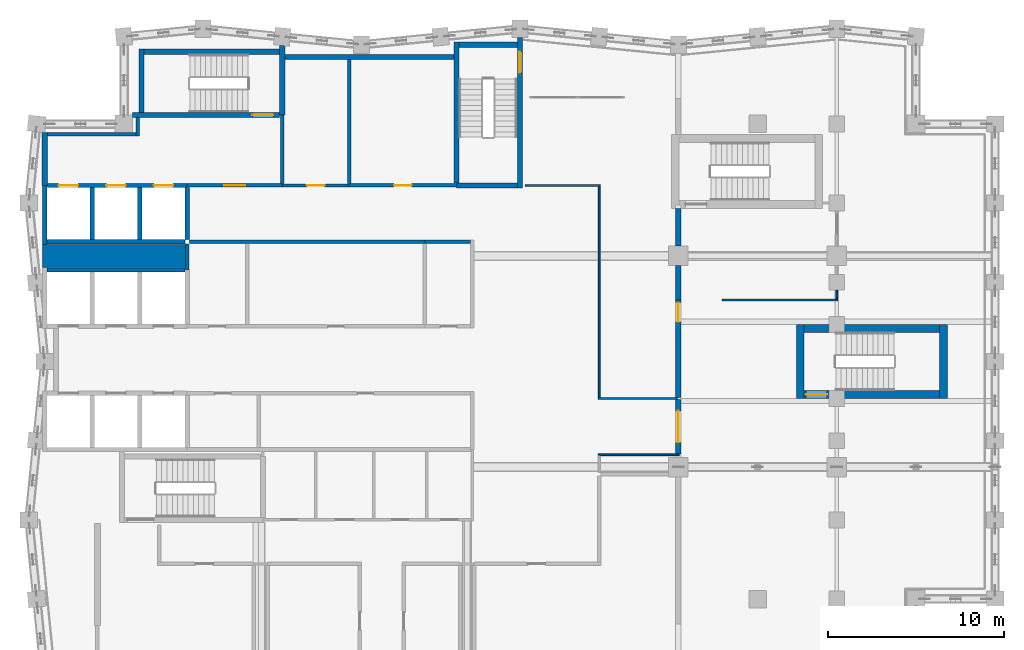
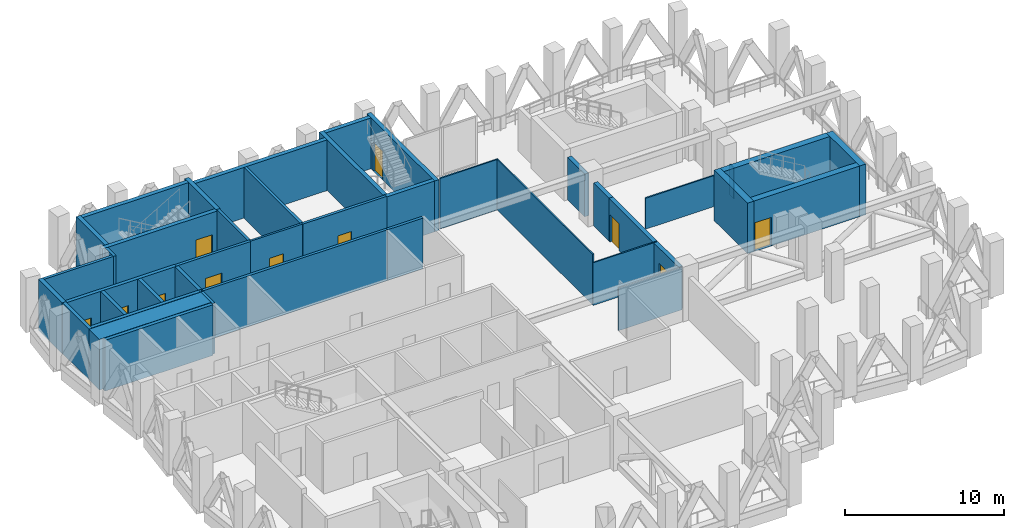
# One storey, part 10 of 18: 42 walls, 11 doors, 11 openings.
"""IFC4 building model written with IfcOpenShell, lengths in metres."""

import ifcopenshell
import ifcopenshell.guid

model = None  # the IFC model being written
_history = None  # IfcOwnerHistory: only IFC2X3 demands one
_inside = {}  # id of a spatial element -> (the spatial element, [elements in it])
_under = {}  # id of a project, library or spatial element -> (it, [spatial elements below it])
_declared = {}  # id of a project -> (the project, [libraries it declares])
_typed = {}  # id of a type object -> (the type object, [elements of that type])
_made_of = {}  # id of a material, layer set ... -> (it, [elements and type objects made of it])


def new_model(schema):
    """Start an empty IFC model of exactly this schema.

    Asked for "IFC4X3", IfcOpenShell would pick the latest addendum, in which some entities
    have other attributes; the version numbers below select the first issue.
    IFC2X3 requires an IfcOwnerHistory on every rooted entity: one is made here for all.
    """
    global model, _history
    if schema == "IFC4X3":
        model = ifcopenshell.file(schema_version=(4, 3, 0, 0))
    else:
        model = ifcopenshell.file(schema=schema)
    _inside.clear()
    _under.clear()
    _declared.clear()
    _typed.clear()
    _made_of.clear()
    _history = None
    if model.schema == "IFC2X3":
        org = make("IfcOrganization", Name="unknown")
        user = make(
            "IfcPersonAndOrganization",
            ThePerson=make("IfcPerson", FamilyName="unknown"),
            TheOrganization=org,
        )
        app = make(
            "IfcApplication",
            ApplicationDeveloper=org,
            Version="unknown",
            ApplicationFullName="unknown",
            ApplicationIdentifier="unknown",
        )
        _history = make(
            "IfcOwnerHistory",
            OwningUser=user,
            OwningApplication=app,
            ChangeAction="ADDED",
            CreationDate=0,
        )
    return model


def make(cls, **values):
    """One entity of the class cls with the attributes given. An attribute that is None is left unset."""
    return model.create_entity(
        cls, **{name: value for name, value in values.items() if value is not None}
    )


def rooted(cls, **values):
    """An entity with a GlobalId (a new one), such as an element, a storey or a relation."""
    return make(cls, GlobalId=ifcopenshell.guid.new(), OwnerHistory=_history, **values)


def si_unit(unit_type, name, prefix=None):
    """IfcSIUnit, for example si_unit("LENGTHUNIT", "METRE", prefix="MILLI")."""
    return make("IfcSIUnit", UnitType=unit_type, Prefix=prefix, Name=name)


def assignment(units):
    """IfcUnitAssignment: the units of a project."""
    return None if units is None else make("IfcUnitAssignment", Units=units)


def point(xyz):
    """IfcCartesianPoint."""
    return None if xyz is None else make("IfcCartesianPoint", Coordinates=xyz)


def direction(xyz):
    """IfcDirection."""
    return None if xyz is None else make("IfcDirection", DirectionRatios=xyz)


def frame(location, z_axis=None, x_axis=None):
    """IfcAxis2Placement3D, a coordinate frame: its origin and axes. An axis left out is left unset."""
    return make(
        "IfcAxis2Placement3D",
        Location=point(location),
        Axis=direction(z_axis),
        RefDirection=direction(x_axis),
    )


def frame_2d(location, x_axis=None):
    """IfcAxis2Placement2D, a coordinate frame in the plane: its origin and x axis."""
    return make(
        "IfcAxis2Placement2D", Location=point(location), RefDirection=direction(x_axis)
    )


def origin():
    """The frame at (0, 0, 0) with its axes left unset."""
    return frame((0.0, 0.0, 0.0))


def place(relative_to, where):
    """IfcLocalPlacement: puts the frame where relative to a parent placement (None: the world)."""
    return make(
        "IfcLocalPlacement", PlacementRelTo=relative_to, RelativePlacement=where
    )


def context(
    kind, dimensions, precision=None, world=None, true_north=None, identifier=None
):
    """IfcGeometricRepresentationContext, for example the 3D "Model" context."""
    return make(
        "IfcGeometricRepresentationContext",
        ContextIdentifier=identifier,
        ContextType=kind,
        CoordinateSpaceDimension=dimensions,
        Precision=precision,
        WorldCoordinateSystem=world,
        TrueNorth=true_north,
    )


def subcontext(parent, identifier, kind, view, scale=None):
    """IfcGeometricRepresentationSubContext, for example "Body" below "Model"."""
    return make(
        "IfcGeometricRepresentationSubContext",
        ContextIdentifier=identifier,
        ContextType=kind,
        ParentContext=parent,
        TargetScale=scale,
        TargetView=view,
    )


def project(units=None, contexts=None):
    """IfcProject with its units and contexts."""
    return rooted(
        "IfcProject",
        Name="project",
        RepresentationContexts=contexts,
        UnitsInContext=assignment(units),
    )


def spatial(cls, under=None, at=None, **own):
    """A site, building, storey or space (cls), placed at a placement, below another one or the project."""
    s = rooted(cls, ObjectPlacement=at, **own)
    if under is not None:
        _under.setdefault(under.id(), (under, []))[1].append(s)
    return s


def profile(cls, at=None, kind="AREA", **sizes):
    """A parametric profile (cls). Its sizes go by their IFC names, for example OverallWidth=200.0."""
    return make(cls, ProfileType=kind, Position=at, **sizes)


def rectangle(**sizes):
    """IfcRectangleProfileDef."""
    return profile("IfcRectangleProfileDef", **sizes)


def extrude(swept, where, along, depth):
    """IfcExtrudedAreaSolid: the profile swept, set in the frame where, extruded along a direction by depth."""
    return make(
        "IfcExtrudedAreaSolid",
        SweptArea=swept,
        Position=where,
        ExtrudedDirection=direction(along),
        Depth=depth,
    )


def shape(context_of_items, identifier, shape_type, items):
    """IfcShapeRepresentation: the items that make up one representation, for example the "Body"."""
    return make(
        "IfcShapeRepresentation",
        ContextOfItems=context_of_items,
        RepresentationIdentifier=identifier,
        RepresentationType=shape_type,
        Items=items,
    )


def material(Name=None, Category=None):
    """IfcMaterial."""
    return make("IfcMaterial", Name=Name, Category=Category)


def layer(
    of_material, thickness, ventilated=None, Name=None, Category=None, Priority=None
):
    """IfcMaterialLayer: one layer of a wall or slab, of a material (None: an air gap)."""
    return make(
        "IfcMaterialLayer",
        Material=of_material,
        LayerThickness=thickness,
        IsVentilated=ventilated,
        Name=Name,
        Category=Category,
        Priority=Priority,
    )


def layer_set(layers, Name=None):
    """IfcMaterialLayerSet."""
    return make("IfcMaterialLayerSet", MaterialLayers=layers, LayerSetName=Name)


def made_of(thing, what):
    """Note that an element or type object is made of a material, layer set ...; save() writes the relation."""
    if what is not None:
        _made_of.setdefault(what.id(), (what, []))[1].append(thing)
    return thing


def type_object(cls, material=None, **own):
    """A type object (cls), such as IfcWallType, which elements share."""
    return made_of(rooted(cls, **own), material)


def element(
    cls,
    number,
    at=None,
    inside=None,
    cuts=None,
    type_object=None,
    material=None,
    context=None,
    identifier="Body",
    shape_type=None,
    held_by="IfcProductDefinitionShape",
    body=None,
    shapes=None,
    **own,
):
    """One element of the class cls, such as IfcWall. Its Tag is "e" and its number.

    at: its placement. inside: the storey or other place that contains it. cuts: it is an
    opening in that element (IfcRelVoidsElement). A single representation is given by context,
    identifier, shape_type and body (its items); several are given by shapes. held_by: the class
    of the entity that holds the representations. save() writes the other relations.
    """
    e = rooted(cls, Tag="e%d" % number, ObjectPlacement=at, **own)
    if body is not None:
        shapes = [shape(context, identifier, shape_type, body)]
    if shapes is not None:
        e.Representation = make(held_by, Representations=shapes)
    if inside is not None:
        _inside.setdefault(inside.id(), (inside, []))[1].append(e)
    if cuts is not None:
        rooted(
            "IfcRelVoidsElement", RelatingBuildingElement=cuts, RelatedOpeningElement=e
        )
    if type_object is not None:
        _typed.setdefault(type_object.id(), (type_object, []))[1].append(e)
    return made_of(e, material)


def fill(opening, filler):
    """IfcRelFillsElement: the door or window that sits in an opening."""
    return rooted(
        "IfcRelFillsElement",
        RelatingOpeningElement=opening,
        RelatedBuildingElement=filler,
    )


def aggregate(whole, parts):
    """IfcRelAggregates: a whole, such as a stair, and the parts it consists of."""
    return rooted("IfcRelAggregates", RelatingObject=whole, RelatedObjects=parts)


def save(model, path):
    """Write the relations noted so far, then the file.

    IfcRelAggregates (storeys below a building ...), IfcRelContainedInSpatialStructure (elements
    in a storey), IfcRelDefinesByType, IfcRelAssociatesMaterial and IfcRelDeclares: one each for
    every whole, place, type object, material and project.
    """
    for whole, parts in _under.values():
        aggregate(whole, parts)
    for where, things in _inside.values():
        rooted(
            "IfcRelContainedInSpatialStructure",
            RelatedElements=things,
            RelatingStructure=where,
        )
    for kind, things in _typed.values():
        rooted("IfcRelDefinesByType", RelatedObjects=things, RelatingType=kind)
    for what, things in _made_of.values():
        rooted("IfcRelAssociatesMaterial", RelatedObjects=things, RelatingMaterial=what)
    for by, libraries in _declared.values():
        rooted("IfcRelDeclares", RelatingContext=by, RelatedDefinitions=libraries)
    model.write(path)


model = new_model("IFC4")

# Units and contexts
model_context = context("Model", 3, precision=1e-05, world=origin(), true_north=direction((0.0, 1.0)))
body_context = subcontext(model_context, "Body", "Model", "MODEL_VIEW")
ifc_project = project(units=[si_unit("LENGTHUNIT", "METRE"), si_unit("AREAUNIT", "SQUARE_METRE"), si_unit("VOLUMEUNIT", "CUBIC_METRE"), si_unit("PLANEANGLEUNIT", "RADIAN"), si_unit("MASSUNIT", "GRAM", prefix="KILO")], contexts=[model_context])

# Site, building, storey
site_placement = place(None, origin())
site = spatial("IfcSite", under=ifc_project, at=site_placement, CompositionType="ELEMENT")
building_placement = place(site_placement, origin())
building = spatial("IfcBuilding", under=site, at=building_placement, Name="Brondeck Convention Tower", CompositionType="ELEMENT")
storey_placement = place(building_placement, frame((0.0, 0.0, 248.199951171875)))
storey = spatial("IfcBuildingStorey", under=building, at=storey_placement, Name="L61", CompositionType="ELEMENT", Elevation=248.199951171875)

# Wall, opening, door
ifc_material_1 = material(Name="Concrete compartment wall C30/37", Category="concrete")
ifc_layer_1 = layer(ifc_material_1, 0.300048828125)
ifc_layer_set_1 = layer_set([ifc_layer_1], Name="Compartment wall 300")
wall_type_1 = type_object("IfcWallType", Name="Compartment wall 300", PredefinedType="PARTITIONING", material=ifc_layer_set_1)
wall_1_placement = place(storey_placement, frame((36.0, 42.85009765625, 0.0), z_axis=(0.0, 0.0, 1.0), x_axis=(0.0, -1.0, 0.0)))
wall_1 = element("IfcWall", 1, at=wall_1_placement, inside=storey, type_object=wall_type_1, Name="FLR-L61-W031", PredefinedType="PARTITIONING", context=body_context, shape_type="SweptSolid", body=[
    extrude(rectangle(XDim=3.10009765625, YDim=0.300048828125, at=frame_2d((1.550048828125, 0.0))), origin(), (0.0, 0.0, 1.0), 3.280029296875),
])
opening_1_placement = place(wall_1_placement, frame((0.64990234375, 0.0, 0.0)))
opening_1 = element("IfcOpeningElement", 2, at=opening_1_placement, cuts=wall_1, Name="Opening BD-4-007", PredefinedType="OPENING", context=body_context, shape_type="SweptSolid", body=[
    extrude(rectangle(XDim=1.800048828125, YDim=2.10009765625, at=frame_2d((0.89990234375, 1.050048828125))), frame((0.0, 0.159912109375, 0.0), z_axis=(0.0, -1.0, 0.0), x_axis=(1.0, 0.0, 0.0)), (0.0, 0.0, 1.0), 0.320068359375),
])
ifc_material_2 = material(Name="Steel fire door pair", Category="steel")
door_type_1 = type_object("IfcDoorType", Name="Fire door pair 1800", OperationType="DOUBLE_DOOR_SINGLE_SWING", PredefinedType="DOOR", material=ifc_material_2)
door_1_placement = place(opening_1_placement, origin())
door_1 = element("IfcDoor", 3, at=door_1_placement, inside=storey, type_object=door_type_1, Name="Door BD-4-007", OperationType="DOUBLE_DOOR_SINGLE_SWING", OverallHeight=2.10009765625, OverallWidth=1.800048828125, PredefinedType="DOOR", context=body_context, shape_type="SweptSolid", body=[
    extrude(rectangle(XDim=1.800048828125, YDim=2.10009765625, at=frame_2d((0.89990234375, 1.050048828125))), frame((0.0, 0.02490234375, 0.0), z_axis=(0.0, -1.0, 0.0), x_axis=(1.0, 0.0, 0.0)), (0.0, 0.0, 1.0), 0.050048828125),
])
fill(opening_1, door_1)

wall_2_placement = place(storey_placement, frame((36.0, 42.949951171875, 0.0), z_axis=(0.0, 0.0, 1.0), x_axis=(0.0, 1.0, 0.0)))
wall_2 = element("IfcWall", 4, at=wall_2_placement, inside=storey, type_object=wall_type_1, Name="FLR-L61-W033", PredefinedType="PARTITIONING", context=body_context, shape_type="SweptSolid", body=[
    extrude(rectangle(XDim=5.550048828125, YDim=0.300048828125, at=frame_2d((2.77490234375, 0.0))), origin(), (0.0, 0.0, 1.0), 3.280029296875),
])
opening_2_placement = place(wall_2_placement, frame((4.300048828125, 0.0, 0.0)))
opening_2 = element("IfcOpeningElement", 5, at=opening_2_placement, cuts=wall_2, Name="Opening BD-4-002", PredefinedType="OPENING", context=body_context, shape_type="SweptSolid", body=[
    extrude(rectangle(XDim=1.10009765625, YDim=2.10009765625, at=frame_2d((0.550048828125, 1.050048828125))), frame((0.0, 0.159912109375, 0.0), z_axis=(0.0, -1.0, 0.0), x_axis=(1.0, 0.0, 0.0)), (0.0, 0.0, 1.0), 0.320068359375),
])
ifc_material_3 = material(Name="Steel fire door leaf", Category="steel")
door_type_2 = type_object("IfcDoorType", Name="Refuge door 1100", OperationType="NOTDEFINED", PredefinedType="DOOR", material=ifc_material_3)
door_2_placement = place(opening_2_placement, origin())
door_2 = element("IfcDoor", 6, at=door_2_placement, inside=storey, type_object=door_type_2, Name="Door BD-4-002", OperationType="SINGLE_SWING_RIGHT", OverallHeight=2.10009765625, OverallWidth=1.10009765625, PredefinedType="DOOR", context=body_context, shape_type="SweptSolid", body=[
    extrude(rectangle(XDim=1.10009765625, YDim=2.10009765625, at=frame_2d((0.550048828125, 1.050048828125))), frame((0.0, 0.02490234375, 0.0), z_axis=(0.0, -1.0, 0.0), x_axis=(1.0, 0.0, 0.0)), (0.0, 0.0, 1.0), 0.050048828125),
])
fill(opening_2, door_2)

# Walls
wall_3_placement = place(storey_placement, frame((36.0, 48.5, 0.0), z_axis=(0.0, 0.0, 1.0), x_axis=(0.0, 1.0, 0.0)))
element("IfcWall", 7, at=wall_3_placement, inside=storey, type_object=wall_type_1, Name="FLR-L61-W034", PredefinedType="PARTITIONING", context=body_context, shape_type="SweptSolid", body=[
    extrude(rectangle(XDim=1.945068359375, YDim=0.300048828125, at=frame_2d((0.97265625, 0.0))), origin(), (0.0, 0.0, 1.0), 3.280029296875),
])
wall_4_placement = place(storey_placement, frame((36.0, 51.554931640625, 0.0), z_axis=(0.0, 0.0, 1.0), x_axis=(0.0, 1.0, 0.0)))
element("IfcWall", 8, at=wall_4_placement, inside=storey, type_object=wall_type_1, Name="FLR-L61-W038", PredefinedType="PARTITIONING", context=body_context, shape_type="SweptSolid", body=[
    extrude(rectangle(XDim=2.14501953125, YDim=0.300048828125, at=frame_2d((1.072509765625, 0.0))), origin(), (0.0, 0.0, 1.0), 3.280029296875),
])
ifc_material_4 = material(Name="Concrete C50/60", Category="concrete")
ifc_layer_2 = layer(ifc_material_4, 0.300048828125)
ifc_layer_set_2 = layer_set([ifc_layer_2], Name="Core outer wall 300 Concrete C50/60")
wall_type_2 = type_object("IfcWallType", Name="Core outer wall 300 Concrete C50/60", PredefinedType="SHEAR", material=ifc_layer_set_2)
wall_5_placement = place(storey_placement, frame((13.64990234375, 62.300048828125, 0.0), z_axis=(0.0, 0.0, 1.0), x_axis=(1.0, 0.0, 0.0)))
element("IfcWall", 9, at=wall_5_placement, inside=storey, type_object=wall_type_2, Name="L61 core wall", PredefinedType="SHEAR", context=body_context, shape_type="SweptSolid", body=[
    extrude(rectangle(XDim=9.60009765625, YDim=0.300048828125, at=frame_2d((4.800048828125, 0.0))), origin(), (0.0, 0.0, 1.0), 3.900146484375),
])
wall_6_placement = place(storey_placement, frame((0.0, 55.0, 0.0), z_axis=(0.0, 0.0, 1.0), x_axis=(0.0, 1.0, 0.0)))
element("IfcWall", 10, at=wall_6_placement, inside=storey, type_object=wall_type_2, Name="L61 core wall", PredefinedType="SHEAR", context=body_context, shape_type="SweptSolid", body=[
    extrude(rectangle(XDim=3.0, YDim=0.300048828125, at=frame_2d((1.5, 0.0))), origin(), (0.0, 0.0, 1.0), 3.900146484375),
])

# Wall, opening, door
ifc_material_5 = material(Name="Fire-rated gypsum board partition")
ifc_layer_3 = layer(ifc_material_5, 0.14990234375)
ifc_layer_set_3 = layer_set([ifc_layer_3], Name="Core partition 150 EI 60")
wall_type_3 = type_object("IfcWallType", Name="Core partition 150 EI 60", PredefinedType="PARTITIONING", material=ifc_layer_set_3)
wall_7_placement = place(storey_placement, frame((13.5, 55.0, 0.0), z_axis=(0.0, 0.0, 1.0), x_axis=(1.0, 0.0, 0.0)))
wall_7 = element("IfcWall", 11, at=wall_7_placement, inside=storey, type_object=wall_type_3, Name="L61 core wall", PredefinedType="PARTITIONING", context=body_context, shape_type="SweptSolid", body=[
    extrude(rectangle(XDim=3.800048828125, YDim=0.14990234375, at=frame_2d((1.89990234375, 0.0))), origin(), (0.0, 0.0, 1.0), 3.900146484375),
])
opening_3_placement = place(wall_7_placement, frame((1.39990234375, 0.0, 0.0)))
opening_3 = element("IfcOpeningElement", 12, at=opening_3_placement, cuts=wall_7, Name="Opening C33-11", PredefinedType="OPENING", context=body_context, shape_type="SweptSolid", body=[
    extrude(rectangle(XDim=1.0, YDim=2.10009765625, at=frame_2d((0.5, 1.050048828125))), frame((0.0, 0.0849609375, 0.0), z_axis=(0.0, -1.0, 0.0), x_axis=(1.0, 0.0, 0.0)), (0.0, 0.0, 1.0), 0.169921875),
])
ifc_material_6 = material(Name="Steel fire door", Category="steel")
door_type_3 = type_object("IfcDoorType", Name="Room door 1000x2100 EI 60", OperationType="NOTDEFINED", PredefinedType="DOOR", material=ifc_material_6)
door_3_placement = place(opening_3_placement, origin())
door_3 = element("IfcDoor", 13, at=door_3_placement, inside=storey, type_object=door_type_3, Name="L61 Room door NE-1", OperationType="SINGLE_SWING_LEFT", OverallHeight=2.10009765625, OverallWidth=1.0, PredefinedType="DOOR", context=body_context, shape_type="SweptSolid", body=[
    extrude(rectangle(XDim=1.0, YDim=2.10009765625, at=frame_2d((0.5, 1.050048828125))), frame((0.0, 0.02490234375, 0.0), z_axis=(0.0, -1.0, 0.0), x_axis=(1.0, 0.0, 0.0)), (0.0, 0.0, 1.0), 0.050048828125),
])
fill(opening_3, door_3)

# Wall
ifc_layer_4 = layer(ifc_material_4, 1.300048828125)
ifc_layer_set_4 = layer_set([ifc_layer_4], Name="Core shear wall 1300 Concrete C50/60")
wall_type_4 = type_object("IfcWallType", Name="Core shear wall 1300 Concrete C50/60", PredefinedType="SHEAR", material=ifc_layer_set_4)
wall_8_placement = place(storey_placement, frame((-0.125, 51.0, 0.0), z_axis=(0.0, 0.0, 1.0), x_axis=(1.0, 0.0, 0.0)))
element("IfcWall", 14, at=wall_8_placement, inside=storey, type_object=wall_type_4, Name="L61 core wall", PredefinedType="SHEAR", context=body_context, shape_type="SweptSolid", body=[
    extrude(rectangle(XDim=8.125, YDim=1.300048828125, at=frame_2d((4.0625, 0.0))), origin(), (0.0, 0.0, 1.0), 3.900146484375),
])

# Wall, opening, door
ifc_layer_5 = layer(ifc_material_5, 0.199951171875)
ifc_layer_set_5 = layer_set([ifc_layer_5], Name="Firefighting lobby wall 200 EI 120")
wall_type_5 = type_object("IfcWallType", Name="Firefighting lobby wall 200 EI 120", PredefinedType="PARTITIONING", material=ifc_layer_set_5)
wall_9_placement = place(storey_placement, frame((8.10009765625, 55.0, 0.0), z_axis=(0.0, 0.0, 1.0), x_axis=(1.0, 0.0, 0.0)))
wall_9 = element("IfcWall", 15, at=wall_9_placement, inside=storey, type_object=wall_type_5, Name="L61 core wall", PredefinedType="PARTITIONING", context=body_context, shape_type="SweptSolid", body=[
    extrude(rectangle(XDim=5.39990234375, YDim=0.199951171875, at=frame_2d((2.699951171875, 0.0))), origin(), (0.0, 0.0, 1.0), 3.900146484375),
])
opening_4_placement = place(wall_9_placement, frame((2.10009765625, 0.0, 0.0)))
opening_4 = element("IfcOpeningElement", 16, at=opening_4_placement, cuts=wall_9, Name="Opening C33-01", PredefinedType="OPENING", context=body_context, shape_type="SweptSolid", body=[
    extrude(rectangle(XDim=1.199951171875, YDim=2.199951171875, at=frame_2d((0.60009765625, 1.10009765625))), frame((0.0, 0.10986328125, 0.0), z_axis=(0.0, -1.0, 0.0), x_axis=(1.0, 0.0, 0.0)), (0.0, 0.0, 1.0), 0.219970703125),
])
door_type_4 = type_object("IfcDoorType", Name="Firefighting lobby door 1200x2200 EI 120", OperationType="NOTDEFINED", PredefinedType="DOOR", material=ifc_material_6)
door_4_placement = place(opening_4_placement, origin())
door_4 = element("IfcDoor", 17, at=door_4_placement, inside=storey, type_object=door_type_4, Name="L61 Firefighting lobby door FFL-1", OperationType="SINGLE_SWING_RIGHT", OverallHeight=2.199951171875, OverallWidth=1.199951171875, PredefinedType="DOOR", context=body_context, shape_type="SweptSolid", body=[
    extrude(rectangle(XDim=1.199951171875, YDim=2.199951171875, at=frame_2d((0.60009765625, 1.10009765625))), frame((0.0, 0.02490234375, 0.0), z_axis=(0.0, -1.0, 0.0), x_axis=(1.0, 0.0, 0.0)), (0.0, 0.0, 1.0), 0.050048828125),
])
fill(opening_4, door_4)

# Walls
wall_10_placement = place(storey_placement, frame((0.14990234375, 57.89990234375, 0.0), z_axis=(0.0, 0.0, 1.0), x_axis=(1.0, 0.0, 0.0)))
element("IfcWall", 18, at=wall_10_placement, inside=storey, type_object=wall_type_5, Name="L61 core wall", PredefinedType="PARTITIONING", context=body_context, shape_type="SweptSolid", body=[
    extrude(rectangle(XDim=5.050048828125, YDim=0.199951171875, at=frame_2d((2.52490234375, 0.0))), origin(), (0.0, 0.0, 1.0), 3.900146484375),
])
wall_11_placement = place(storey_placement, frame((5.300048828125, 57.800048828125, 0.0), z_axis=(0.0, 0.0, 1.0), x_axis=(0.0, 1.0, 0.0)))
element("IfcWall", 19, at=wall_11_placement, inside=storey, type_object=wall_type_5, Name="L61 core wall", PredefinedType="PARTITIONING", context=body_context, shape_type="SweptSolid", body=[
    extrude(rectangle(XDim=1.050048828125, YDim=0.199951171875, at=frame_2d((0.52490234375, 0.0))), origin(), (0.0, 0.0, 1.0), 3.900146484375),
])
wall_12_placement = place(storey_placement, frame((13.5, 55.10009765625, 0.0), z_axis=(0.0, 0.0, 1.0), x_axis=(0.0, 1.0, 0.0)))
element("IfcWall", 20, at=wall_12_placement, inside=storey, type_object=wall_type_5, Name="L61 core wall", PredefinedType="PARTITIONING", context=body_context, shape_type="SweptSolid", body=[
    extrude(rectangle(XDim=3.89990234375, YDim=0.199951171875, at=frame_2d((1.949951171875, 0.0))), origin(), (0.0, 0.0, 1.0), 3.900146484375),
])
ifc_layer_6 = layer(ifc_material_4, 0.25)
ifc_layer_set_6 = layer_set([ifc_layer_6], Name="Lift shaft wall 250 Concrete C50/60")
wall_type_6 = type_object("IfcWallType", Name="Lift shaft wall 250 Concrete C50/60", PredefinedType="SHEAR", material=ifc_layer_set_6)
for number, where, z_axis, x_axis, name in (
    (21, (0.125, 50.199951171875, 0.0), (0.0, 0.0, 1.0), (1.0, 0.0, 0.0), "L61 core wall"),
    (22, (0.125, 51.800048828125, 0.0), (0.0, 0.0, 1.0), (1.0, 0.0, 0.0), "L61 core wall"),
):
    element("IfcWall", number, at=place(storey_placement, frame(where, z_axis=z_axis, x_axis=x_axis)), inside=storey, type_object=wall_type_6, Name=name, PredefinedType="SHEAR", context=body_context, shape_type="SweptSolid", body=[
        extrude(rectangle(XDim=7.85009765625, YDim=0.25, at=frame_2d((3.925048828125, 0.0))), origin(), (0.0, 0.0, 1.0), 3.900146484375),
    ])

# Wall, openings, doors
wall_13_placement = place(storey_placement, frame((0.14990234375, 55.0, 0.0), z_axis=(0.0, 0.0, 1.0), x_axis=(1.0, 0.0, 0.0)))
wall_13 = element("IfcWall", 23, at=wall_13_placement, inside=storey, type_object=wall_type_6, Name="L61 core wall", PredefinedType="SHEAR", context=body_context, shape_type="SweptSolid", body=[
    extrude(rectangle(XDim=7.9501953125, YDim=0.25, at=frame_2d((3.97509765625, 0.0))), origin(), (0.0, 0.0, 1.0), 3.900146484375),
])
opening_5_placement = place(wall_13_placement, frame((0.64990234375, 0.0, 0.0)))
opening_5 = element("IfcOpeningElement", 24, at=opening_5_placement, cuts=wall_13, Name="Opening C33-19", PredefinedType="OPENING", context=body_context, shape_type="SweptSolid", body=[
    extrude(rectangle(XDim=1.10009765625, YDim=2.10009765625, at=frame_2d((0.550048828125, 1.050048828125))), frame((0.0, 0.135009765625, 0.0), z_axis=(0.0, -1.0, 0.0), x_axis=(1.0, 0.0, 0.0)), (0.0, 0.0, 1.0), 0.27001953125),
])
opening_6_placement = place(wall_13_placement, frame((3.35009765625, 0.0, 0.0)))
opening_6 = element("IfcOpeningElement", 25, at=opening_6_placement, cuts=wall_13, Name="Opening C33-20", PredefinedType="OPENING", context=body_context, shape_type="SweptSolid", body=[
    extrude(rectangle(XDim=1.10009765625, YDim=2.10009765625, at=frame_2d((0.550048828125, 1.050048828125))), frame((0.0, 0.135009765625, 0.0), z_axis=(0.0, -1.0, 0.0), x_axis=(1.0, 0.0, 0.0)), (0.0, 0.0, 1.0), 0.27001953125),
])
opening_7_placement = place(wall_13_placement, frame((6.050048828125, 0.0, 0.0)))
opening_7 = element("IfcOpeningElement", 26, at=opening_7_placement, cuts=wall_13, Name="Opening C33-21", PredefinedType="OPENING", context=body_context, shape_type="SweptSolid", body=[
    extrude(rectangle(XDim=1.10009765625, YDim=2.10009765625, at=frame_2d((0.550048828125, 1.050048828125))), frame((0.0, 0.135009765625, 0.0), z_axis=(0.0, -1.0, 0.0), x_axis=(1.0, 0.0, 0.0)), (0.0, 0.0, 1.0), 0.27001953125),
])
ifc_material_7 = material(Name="Stainless steel lift door", Category="steel")
door_type_5 = type_object("IfcDoorType", Name="Lift landing door 1100x2100 EI 180", OperationType="DOUBLE_DOOR_SLIDING", PredefinedType="DOOR", material=ifc_material_7)
door_5_placement = place(opening_5_placement, origin())
door_5 = element("IfcDoor", 27, at=door_5_placement, inside=storey, type_object=door_type_5, Name="L61 Lift landing door FF1", OperationType="DOUBLE_DOOR_SLIDING", OverallHeight=2.10009765625, OverallWidth=1.10009765625, PredefinedType="DOOR", context=body_context, shape_type="SweptSolid", body=[
    extrude(rectangle(XDim=1.10009765625, YDim=2.10009765625, at=frame_2d((0.550048828125, 1.050048828125))), frame((0.0, 0.02490234375, 0.0), z_axis=(0.0, -1.0, 0.0), x_axis=(1.0, 0.0, 0.0)), (0.0, 0.0, 1.0), 0.050048828125),
])
fill(opening_5, door_5)
door_6_placement = place(opening_6_placement, origin())
door_6 = element("IfcDoor", 28, at=door_6_placement, inside=storey, type_object=door_type_5, Name="L61 Lift landing door FF2", OperationType="DOUBLE_DOOR_SLIDING", OverallHeight=2.10009765625, OverallWidth=1.10009765625, PredefinedType="DOOR", context=body_context, shape_type="SweptSolid", body=[
    extrude(rectangle(XDim=1.10009765625, YDim=2.10009765625, at=frame_2d((0.550048828125, 1.050048828125))), frame((0.0, 0.02490234375, 0.0), z_axis=(0.0, -1.0, 0.0), x_axis=(1.0, 0.0, 0.0)), (0.0, 0.0, 1.0), 0.050048828125),
])
fill(opening_6, door_6)
door_7_placement = place(opening_7_placement, origin())
door_7 = element("IfcDoor", 29, at=door_7_placement, inside=storey, type_object=door_type_5, Name="L61 Lift landing door FF3", OperationType="DOUBLE_DOOR_SLIDING", OverallHeight=2.10009765625, OverallWidth=1.10009765625, PredefinedType="DOOR", context=body_context, shape_type="SweptSolid", body=[
    extrude(rectangle(XDim=1.10009765625, YDim=2.10009765625, at=frame_2d((0.550048828125, 1.050048828125))), frame((0.0, 0.02490234375, 0.0), z_axis=(0.0, -1.0, 0.0), x_axis=(1.0, 0.0, 0.0)), (0.0, 0.0, 1.0), 0.050048828125),
])
fill(opening_7, door_7)

# Walls
wall_14_placement = place(storey_placement, frame((0.0, 51.64990234375, 0.0), z_axis=(0.0, 0.0, 1.0), x_axis=(0.0, 1.0, 0.0)))
element("IfcWall", 30, at=wall_14_placement, inside=storey, type_object=wall_type_6, Name="L61 core wall", PredefinedType="SHEAR", context=body_context, shape_type="SweptSolid", body=[
    extrude(rectangle(XDim=3.35009765625, YDim=0.25, at=frame_2d((1.675048828125, 0.0))), origin(), (0.0, 0.0, 1.0), 3.900146484375),
])
for number, where, z_axis, x_axis, name in (
    (31, (2.699951171875, 51.925048828125, 0.0), (0.0, 0.0, 1.0), (0.0, 1.0, 0.0), "L61 core wall"),
    (32, (5.39990234375, 51.925048828125, 0.0), (0.0, 0.0, 1.0), (0.0, 1.0, 0.0), "L61 core wall"),
    (33, (8.10009765625, 51.925048828125, 0.0), (0.0, 0.0, 1.0), (0.0, 1.0, 0.0), "L61 core wall"),
):
    element("IfcWall", number, at=place(storey_placement, frame(where, z_axis=z_axis, x_axis=x_axis)), inside=storey, type_object=wall_type_6, Name=name, PredefinedType="SHEAR", context=body_context, shape_type="SweptSolid", body=[
        extrude(rectangle(XDim=2.949951171875, YDim=0.25, at=frame_2d((1.47509765625, 0.0))), origin(), (0.0, 0.0, 1.0), 3.900146484375),
    ])
ifc_layer_7 = layer(ifc_material_5, 0.199951171875)
ifc_layer_set_7 = layer_set([ifc_layer_7], Name="Plant room wall 200 EI 120")
wall_type_7 = type_object("IfcWallType", Name="Plant room wall 200 EI 120", PredefinedType="PARTITIONING", material=ifc_layer_set_7)
wall_15_placement = place(storey_placement, frame((8.22509765625, 51.800048828125, 0.0), z_axis=(0.0, 0.0, 1.0), x_axis=(1.0, 0.0, 0.0)))
element("IfcWall", 34, at=wall_15_placement, inside=storey, type_object=wall_type_7, Name="L61 core wall", PredefinedType="PARTITIONING", context=body_context, shape_type="SweptSolid", body=[
    extrude(rectangle(XDim=13.375, YDim=0.199951171875, at=frame_2d((6.6875, 0.0))), origin(), (0.0, 0.0, 1.0), 3.900146484375),
])
wall_16_placement = place(storey_placement, frame((8.10009765625, 50.199951171875, 0.0), z_axis=(0.0, 0.0, 1.0), x_axis=(0.0, 1.0, 0.0)))
element("IfcWall", 35, at=wall_16_placement, inside=storey, type_object=wall_type_7, Name="L61 core wall", PredefinedType="PARTITIONING", context=body_context, shape_type="SweptSolid", body=[
    extrude(rectangle(XDim=1.47509765625, YDim=0.199951171875, at=frame_2d((0.737548828125, 0.0))), origin(), (0.0, 0.0, 1.0), 3.900146484375),
])
ifc_layer_8 = layer(ifc_material_5, 0.199951171875)
ifc_layer_set_8 = layer_set([ifc_layer_8], Name="Riser wall 200 EI 120")
wall_type_8 = type_object("IfcWallType", Name="Riser wall 200 EI 120", PredefinedType="PARTITIONING", material=ifc_layer_set_8)
wall_17_placement = place(storey_placement, frame((21.60009765625, 51.800048828125, 0.0), z_axis=(0.0, 0.0, 1.0), x_axis=(1.0, 0.0, 0.0)))
element("IfcWall", 36, at=wall_17_placement, inside=storey, type_object=wall_type_8, Name="L61 core wall", PredefinedType="PARTITIONING", context=body_context, shape_type="SweptSolid", body=[
    extrude(rectangle(XDim=2.599853515625, YDim=0.199951171875, at=frame_2d((1.2998046875, 0.0))), origin(), (0.0, 0.0, 1.0), 3.900146484375),
])

# Wall, opening, door
wall_18_placement = place(storey_placement, frame((17.300048828125, 55.0, 0.0), z_axis=(0.0, 0.0, 1.0), x_axis=(1.0, 0.0, 0.0)))
wall_18 = element("IfcWall", 37, at=wall_18_placement, inside=storey, type_object=wall_type_8, Name="L61 core wall", PredefinedType="PARTITIONING", context=body_context, shape_type="SweptSolid", body=[
    extrude(rectangle(XDim=6.099853515625, YDim=0.199951171875, at=frame_2d((3.0498046875, 0.0))), origin(), (0.0, 0.0, 1.0), 3.900146484375),
])
opening_8_placement = place(wall_18_placement, frame((2.550048828125, 0.0, 0.0)))
opening_8 = element("IfcOpeningElement", 38, at=opening_8_placement, cuts=wall_18, Name="Opening C33-12", PredefinedType="OPENING", context=body_context, shape_type="SweptSolid", body=[
    extrude(rectangle(XDim=1.0, YDim=2.10009765625, at=frame_2d((0.5, 1.050048828125))), frame((0.0, 0.10986328125, 0.0), z_axis=(0.0, -1.0, 0.0), x_axis=(1.0, 0.0, 0.0)), (0.0, 0.0, 1.0), 0.219970703125),
])
door_type_6 = type_object("IfcDoorType", Name="Riser door 1000x2100 EI 120", OperationType="NOTDEFINED", PredefinedType="DOOR", material=ifc_material_6)
door_8_placement = place(opening_8_placement, origin())
door_8 = element("IfcDoor", 39, at=door_8_placement, inside=storey, type_object=door_type_6, Name="L61 Riser door NE-2", OperationType="SINGLE_SWING_RIGHT", OverallHeight=2.10009765625, OverallWidth=1.0, PredefinedType="DOOR", context=body_context, shape_type="SweptSolid", body=[
    extrude(rectangle(XDim=1.0, YDim=2.10009765625, at=frame_2d((0.5, 1.050048828125))), frame((0.0, 0.02490234375, 0.0), z_axis=(0.0, -1.0, 0.0), x_axis=(1.0, 0.0, 0.0)), (0.0, 0.0, 1.0), 0.050048828125),
])
fill(opening_8, door_8)

# Walls
wall_19_placement = place(storey_placement, frame((17.300048828125, 55.10009765625, 0.0), z_axis=(0.0, 0.0, 1.0), x_axis=(0.0, 1.0, 0.0)))
element("IfcWall", 40, at=wall_19_placement, inside=storey, type_object=wall_type_8, Name="L61 core wall", PredefinedType="PARTITIONING", context=body_context, shape_type="SweptSolid", body=[
    extrude(rectangle(XDim=7.0498046875, YDim=0.199951171875, at=frame_2d((3.52490234375, 0.0))), origin(), (0.0, 0.0, 1.0), 3.900146484375),
])
ifc_material_8 = material(Name="Gypsum board partition on steel studs", Category="steel")
ifc_layer_9 = layer(ifc_material_8, 0.10009765625)
ifc_layer_set_9 = layer_set([ifc_layer_9], Name="Room partition 100")
wall_type_9 = type_object("IfcWallType", Name="Room partition 100", PredefinedType="PARTITIONING", material=ifc_layer_set_9)
wall_20_placement = place(storey_placement, frame((36.050048828125, 39.699951171875, 0.0), z_axis=(0.0, 0.0, 1.0), x_axis=(-1.0, 0.0, 0.0)))
element("IfcWall", 41, at=wall_20_placement, inside=storey, type_object=wall_type_9, Name="FLR-L61-W030", PredefinedType="PARTITIONING", context=body_context, shape_type="SweptSolid", body=[
    extrude(rectangle(XDim=4.60009765625, YDim=0.10009765625, at=frame_2d((2.300048828125, 0.0))), origin(), (0.0, 0.0, 1.0), 3.280029296875),
])
wall_21_placement = place(storey_placement, frame((31.449951171875, 42.89990234375, 0.0), z_axis=(0.0, 0.0, 1.0), x_axis=(1.0, 0.0, 0.0)))
element("IfcWall", 42, at=wall_21_placement, inside=storey, type_object=wall_type_9, Name="FLR-L61-W032", PredefinedType="PARTITIONING", context=body_context, shape_type="SweptSolid", body=[
    extrude(rectangle(XDim=4.5, YDim=0.10009765625, at=frame_2d((2.25, 0.0))), origin(), (0.0, 0.0, 1.0), 3.280029296875),
])
wall_22_placement = place(storey_placement, frame((45.050048828125, 48.5, 0.0), z_axis=(0.0, 0.0, 1.0), x_axis=(-1.0, 0.0, 0.0)))
element("IfcWall", 43, at=wall_22_placement, inside=storey, type_object=wall_type_9, Name="FLR-L61-W035", PredefinedType="PARTITIONING", context=body_context, shape_type="SweptSolid", body=[
    extrude(rectangle(XDim=6.550048828125, YDim=0.10009765625, at=frame_2d((3.27490234375, 0.0))), origin(), (0.0, 0.0, 1.0), 2.380126953125),
])
wall_23_placement = place(storey_placement, frame((45.0, 49.044921875, 0.0), z_axis=(0.0, 0.0, 1.0), x_axis=(0.0, -1.0, 0.0)))
element("IfcWall", 44, at=wall_23_placement, inside=storey, type_object=wall_type_9, Name="FLR-L61-W036", PredefinedType="PARTITIONING", context=body_context, shape_type="SweptSolid", body=[
    extrude(rectangle(XDim=0.494873046875, YDim=0.10009765625, at=frame_2d((0.24755859375, 0.0))), origin(), (0.0, 0.0, 1.0), 2.380126953125),
])
wall_24_placement = place(storey_placement, frame((31.5, 54.949951171875, 0.0), z_axis=(0.0, 0.0, 1.0), x_axis=(0.0, -1.0, 0.0)))
element("IfcWall", 45, at=wall_24_placement, inside=storey, type_object=wall_type_9, Name="FLR-L61-W041", PredefinedType="PARTITIONING", context=body_context, shape_type="SweptSolid", body=[
    extrude(rectangle(XDim=12.0, YDim=0.10009765625, at=frame_2d((6.0, 0.0))), origin(), (0.0, 0.0, 1.0), 3.880126953125),
])
wall_25_placement = place(storey_placement, frame((27.300048828125, 55.0, 0.0), z_axis=(0.0, 0.0, 1.0), x_axis=(1.0, 0.0, 0.0)))
element("IfcWall", 46, at=wall_25_placement, inside=storey, type_object=wall_type_9, Name="FLR-L61-W042", PredefinedType="PARTITIONING", context=body_context, shape_type="SweptSolid", body=[
    extrude(rectangle(XDim=4.25, YDim=0.10009765625, at=frame_2d((2.125, 0.0))), origin(), (0.0, 0.0, 1.0), 3.880126953125),
])

# Wall, opening, door
ifc_layer_10 = layer(ifc_material_4, 0.449951171875)
ifc_layer_set_10 = layer_set([ifc_layer_10], Name="Stair enclosure bearing wall 450 Concrete C50/60")
wall_type_10 = type_object("IfcWallType", Name="Stair enclosure bearing wall 450 Concrete C50/60", PredefinedType="SHEAR", material=ifc_layer_set_10)
wall_26_placement = place(storey_placement, frame((43.14990234375, 43.125, 0.0), z_axis=(0.0, 0.0, 1.0), x_axis=(1.0, 0.0, 0.0)))
wall_26 = element("IfcWall", 47, at=wall_26_placement, inside=storey, type_object=wall_type_10, Name="L61 core wall", PredefinedType="SHEAR", context=body_context, shape_type="SweptSolid", body=[
    extrude(rectangle(XDim=7.7001953125, YDim=0.449951171875, at=frame_2d((3.85009765625, 0.0))), origin(), (0.0, 0.0, 1.0), 3.900146484375),
])
opening_9_placement = place(wall_26_placement, frame((0.10009765625, 0.0, 0.0)))
opening_9 = element("IfcOpeningElement", 48, at=opening_9_placement, cuts=wall_26, Name="Opening C33-17", PredefinedType="OPENING", context=body_context, shape_type="SweptSolid", body=[
    extrude(rectangle(XDim=1.199951171875, YDim=2.199951171875, at=frame_2d((0.60009765625, 1.10009765625))), frame((0.0, 0.23486328125, 0.0), z_axis=(0.0, -1.0, 0.0), x_axis=(1.0, 0.0, 0.0)), (0.0, 0.0, 1.0), 0.469970703125),
])
door_type_7 = type_object("IfcDoorType", Name="Stair door 1200x2200 EI 90", OperationType="NOTDEFINED", PredefinedType="DOOR", material=ifc_material_6)
door_9_placement = place(opening_9_placement, origin())
door_9 = element("IfcDoor", 49, at=door_9_placement, inside=storey, type_object=door_type_7, Name="L61 Stair door ST-AF", OperationType="SINGLE_SWING_RIGHT", OverallHeight=2.199951171875, OverallWidth=1.199951171875, PredefinedType="DOOR", context=body_context, shape_type="SweptSolid", body=[
    extrude(rectangle(XDim=1.199951171875, YDim=2.199951171875, at=frame_2d((0.60009765625, 1.10009765625))), frame((0.0, 0.02490234375, 0.0), z_axis=(0.0, -1.0, 0.0), x_axis=(1.0, 0.0, 0.0)), (0.0, 0.0, 1.0), 0.050048828125),
])
fill(opening_9, door_9)

# Walls
wall_27_placement = place(storey_placement, frame((43.14990234375, 46.875, 0.0), z_axis=(0.0, 0.0, 1.0), x_axis=(1.0, 0.0, 0.0)))
element("IfcWall", 50, at=wall_27_placement, inside=storey, type_object=wall_type_10, Name="L61 core wall", PredefinedType="SHEAR", context=body_context, shape_type="SweptSolid", body=[
    extrude(rectangle(XDim=7.7001953125, YDim=0.449951171875, at=frame_2d((3.85009765625, 0.0))), origin(), (0.0, 0.0, 1.0), 3.900146484375),
])
for number, where, z_axis, x_axis, name in (
    (51, (42.925048828125, 42.89990234375, 0.0), (0.0, 0.0, 1.0), (0.0, 1.0, 0.0), "L61 core wall"),
    (52, (51.074951171875, 42.89990234375, 0.0), (0.0, 0.0, 1.0), (0.0, 1.0, 0.0), "L61 core wall"),
):
    element("IfcWall", number, at=place(storey_placement, frame(where, z_axis=z_axis, x_axis=x_axis)), inside=storey, type_object=wall_type_10, Name=name, PredefinedType="SHEAR", context=body_context, shape_type="SweptSolid", body=[
        extrude(rectangle(XDim=4.2001953125, YDim=0.449951171875, at=frame_2d((2.10009765625, 0.0))), origin(), (0.0, 0.0, 1.0), 3.900146484375),
    ])
ifc_layer_11 = layer(ifc_material_4, 0.300048828125)
ifc_layer_set_11 = layer_set([ifc_layer_11], Name="Stair enclosure wall 300 Concrete C50/60")
wall_type_11 = type_object("IfcWallType", Name="Stair enclosure wall 300 Concrete C50/60", PredefinedType="SHEAR", material=ifc_layer_set_11)
wall_28_placement = place(storey_placement, frame((23.39990234375, 55.0, 0.0), z_axis=(0.0, 0.0, 1.0), x_axis=(1.0, 0.0, 0.0)))
element("IfcWall", 53, at=wall_28_placement, inside=storey, type_object=wall_type_11, Name="L61 core wall", PredefinedType="SHEAR", context=body_context, shape_type="SweptSolid", body=[
    extrude(rectangle(XDim=3.4501953125, YDim=0.300048828125, at=frame_2d((1.72509765625, 0.0))), origin(), (0.0, 0.0, 1.0), 3.900146484375),
])

# Wall, opening, door
wall_29_placement = place(storey_placement, frame((5.0, 59.0, 0.0), z_axis=(0.0, 0.0, 1.0), x_axis=(1.0, 0.0, 0.0)))
wall_29 = element("IfcWall", 54, at=wall_29_placement, inside=storey, type_object=wall_type_11, Name="L61 core wall", PredefinedType="SHEAR", context=body_context, shape_type="SweptSolid", body=[
    extrude(rectangle(XDim=8.35009765625, YDim=0.300048828125, at=frame_2d((4.175048828125, 0.0))), origin(), (0.0, 0.0, 1.0), 3.900146484375),
])
opening_10_placement = place(wall_29_placement, frame((6.800048828125, 0.0, 0.0)))
opening_10 = element("IfcOpeningElement", 55, at=opening_10_placement, cuts=wall_29, Name="Opening C33-15", PredefinedType="OPENING", context=body_context, shape_type="SweptSolid", body=[
    extrude(rectangle(XDim=1.199951171875, YDim=2.199951171875, at=frame_2d((0.60009765625, 1.10009765625))), frame((0.0, 0.159912109375, 0.0), z_axis=(0.0, -1.0, 0.0), x_axis=(1.0, 0.0, 0.0)), (0.0, 0.0, 1.0), 0.320068359375),
])
door_type_8 = type_object("IfcDoorType", Name="Stair door 1200x2200 EI 120", OperationType="NOTDEFINED", PredefinedType="DOOR", material=ifc_material_6)
door_10_placement = place(opening_10_placement, origin())
door_10 = element("IfcDoor", 56, at=door_10_placement, inside=storey, type_object=door_type_8, Name="L61 Stair door ST-3", OperationType="SINGLE_SWING_RIGHT", OverallHeight=2.199951171875, OverallWidth=1.199951171875, PredefinedType="DOOR", context=body_context, shape_type="SweptSolid", body=[
    extrude(rectangle(XDim=1.199951171875, YDim=2.199951171875, at=frame_2d((0.60009765625, 1.10009765625))), frame((0.0, 0.02490234375, 0.0), z_axis=(0.0, -1.0, 0.0), x_axis=(1.0, 0.0, 0.0)), (0.0, 0.0, 1.0), 0.050048828125),
])
fill(opening_10, door_10)

# Walls
wall_30_placement = place(storey_placement, frame((5.64990234375, 62.60009765625, 0.0), z_axis=(0.0, 0.0, 1.0), x_axis=(1.0, 0.0, 0.0)))
element("IfcWall", 57, at=wall_30_placement, inside=storey, type_object=wall_type_11, Name="L61 core wall", PredefinedType="SHEAR", context=body_context, shape_type="SweptSolid", body=[
    extrude(rectangle(XDim=7.7001953125, YDim=0.300048828125, at=frame_2d((3.85009765625, 0.0))), origin(), (0.0, 0.0, 1.0), 3.900146484375),
])
wall_31_placement = place(storey_placement, frame((23.550048828125, 63.0, 0.0), z_axis=(0.0, 0.0, 1.0), x_axis=(1.0, 0.0, 0.0)))
element("IfcWall", 58, at=wall_31_placement, inside=storey, type_object=wall_type_11, Name="L61 core wall", PredefinedType="SHEAR", context=body_context, shape_type="SweptSolid", body=[
    extrude(rectangle(XDim=3.300048828125, YDim=0.300048828125, at=frame_2d((1.64990234375, 0.0))), origin(), (0.0, 0.0, 1.0), 3.900146484375),
])
wall_32_placement = place(storey_placement, frame((5.5, 59.14990234375, 0.0), z_axis=(0.0, 0.0, 1.0), x_axis=(0.0, 1.0, 0.0)))
element("IfcWall", 59, at=wall_32_placement, inside=storey, type_object=wall_type_11, Name="L61 core wall", PredefinedType="SHEAR", context=body_context, shape_type="SweptSolid", body=[
    extrude(rectangle(XDim=3.60009765625, YDim=0.300048828125, at=frame_2d((1.800048828125, 0.0))), origin(), (0.0, 0.0, 1.0), 3.900146484375),
])
wall_33_placement = place(storey_placement, frame((13.5, 59.0, 0.0), z_axis=(0.0, 0.0, 1.0), x_axis=(0.0, 1.0, 0.0)))
element("IfcWall", 60, at=wall_33_placement, inside=storey, type_object=wall_type_11, Name="L61 core wall", PredefinedType="SHEAR", context=body_context, shape_type="SweptSolid", body=[
    extrude(rectangle(XDim=3.947509765625, YDim=0.300048828125, at=frame_2d((1.9736328125, 0.0))), origin(), (0.0, 0.0, 1.0), 3.900146484375),
])
wall_34_placement = place(storey_placement, frame((23.39990234375, 55.14990234375, 0.0), z_axis=(0.0, 0.0, 1.0), x_axis=(0.0, 1.0, 0.0)))
element("IfcWall", 61, at=wall_34_placement, inside=storey, type_object=wall_type_11, Name="L61 core wall", PredefinedType="SHEAR", context=body_context, shape_type="SweptSolid", body=[
    extrude(rectangle(XDim=8.0, YDim=0.300048828125, at=frame_2d((4.0, 0.0))), origin(), (0.0, 0.0, 1.0), 3.900146484375),
])

# Wall, opening, door
wall_35_placement = place(storey_placement, frame((27.0, 54.85009765625, 0.0), z_axis=(0.0, 0.0, 1.0), x_axis=(0.0, 1.0, 0.0)))
wall_35 = element("IfcWall", 62, at=wall_35_placement, inside=storey, type_object=wall_type_11, Name="L61 core wall", PredefinedType="SHEAR", context=body_context, shape_type="SweptSolid", body=[
    extrude(rectangle(XDim=8.5498046875, YDim=0.300048828125, at=frame_2d((4.27490234375, 0.0))), origin(), (0.0, 0.0, 1.0), 3.900146484375),
])
opening_11_placement = place(wall_35_placement, frame((6.550048828125, 0.0, 0.0)))
opening_11 = element("IfcOpeningElement", 63, at=opening_11_placement, cuts=wall_35, Name="Opening C33-14", PredefinedType="OPENING", context=body_context, shape_type="SweptSolid", body=[
    extrude(rectangle(XDim=1.199951171875, YDim=2.199951171875, at=frame_2d((0.60009765625, 1.10009765625))), frame((0.0, 0.159912109375, 0.0), z_axis=(0.0, -1.0, 0.0), x_axis=(1.0, 0.0, 0.0)), (0.0, 0.0, 1.0), 0.320068359375),
])
door_11_placement = place(opening_11_placement, origin())
door_11 = element("IfcDoor", 64, at=door_11_placement, inside=storey, type_object=door_type_7, Name="L61 Stair door ST-2", OperationType="SINGLE_SWING_LEFT", OverallHeight=2.199951171875, OverallWidth=1.199951171875, PredefinedType="DOOR", context=body_context, shape_type="SweptSolid", body=[
    extrude(rectangle(XDim=1.199951171875, YDim=2.199951171875, at=frame_2d((0.60009765625, 1.10009765625))), frame((0.0, 0.02490234375, 0.0), z_axis=(0.0, -1.0, 0.0), x_axis=(1.0, 0.0, 0.0)), (0.0, 0.0, 1.0), 0.050048828125),
])
fill(opening_11, door_11)

save(model, "model.ifc")
